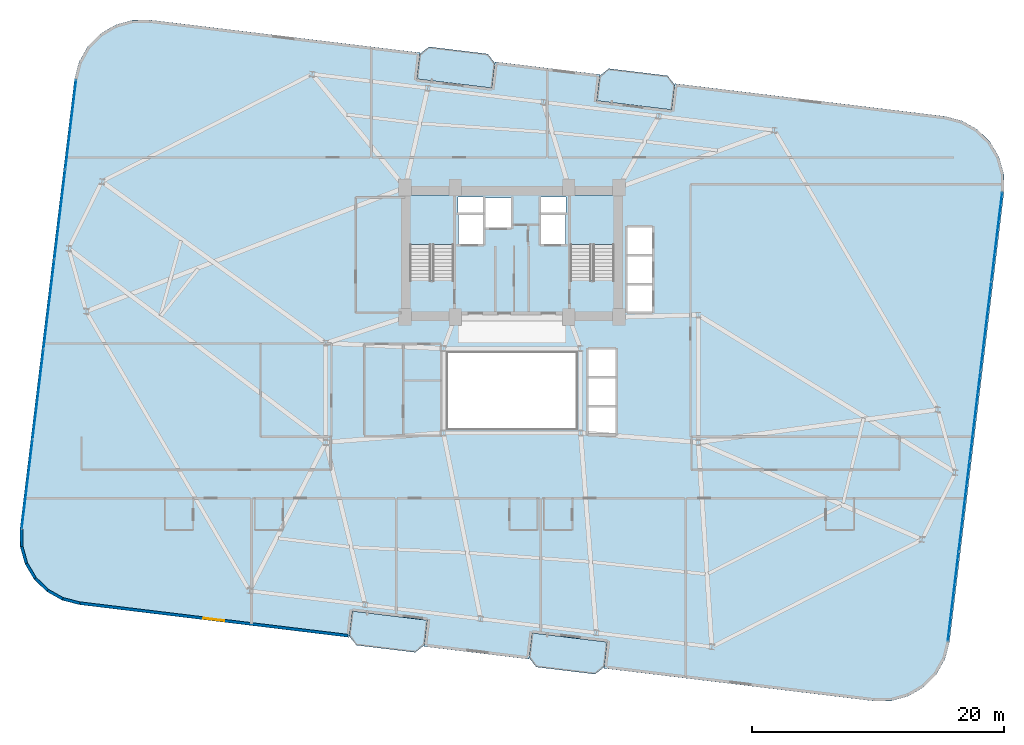
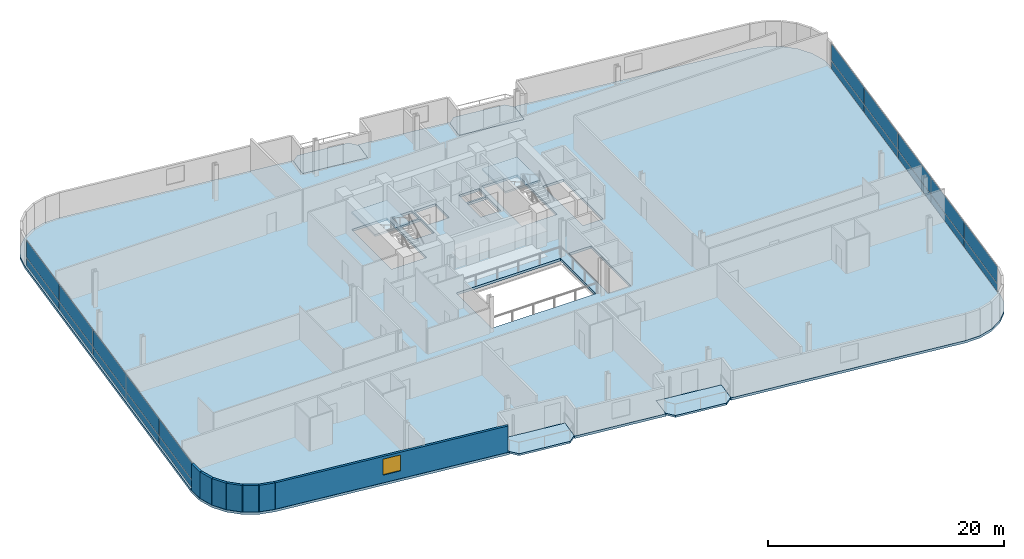
# One storey, part 19 of 25: 20 plates, 7 slabs, 7 walls, 1 window, 1 opening, 4 elements without a shape of their own.
"""IFC4 building model written with IfcOpenShell, lengths in metres."""

import ifcopenshell
import ifcopenshell.guid

model = None  # the IFC model being written
_history = None  # IfcOwnerHistory: only IFC2X3 demands one
_inside = {}  # id of a spatial element -> (the spatial element, [elements in it])
_under = {}  # id of a project, library or spatial element -> (it, [spatial elements below it])
_declared = {}  # id of a project -> (the project, [libraries it declares])
_typed = {}  # id of a type object -> (the type object, [elements of that type])
_made_of = {}  # id of a material, layer set ... -> (it, [elements and type objects made of it])


def new_model(schema):
    """Start an empty IFC model of exactly this schema.

    Asked for "IFC4X3", IfcOpenShell would pick the latest addendum, in which some entities
    have other attributes; the version numbers below select the first issue.
    IFC2X3 requires an IfcOwnerHistory on every rooted entity: one is made here for all.
    """
    global model, _history
    if schema == "IFC4X3":
        model = ifcopenshell.file(schema_version=(4, 3, 0, 0))
    else:
        model = ifcopenshell.file(schema=schema)
    _inside.clear()
    _under.clear()
    _declared.clear()
    _typed.clear()
    _made_of.clear()
    _history = None
    if model.schema == "IFC2X3":
        org = make("IfcOrganization", Name="unknown")
        user = make(
            "IfcPersonAndOrganization",
            ThePerson=make("IfcPerson", FamilyName="unknown"),
            TheOrganization=org,
        )
        app = make(
            "IfcApplication",
            ApplicationDeveloper=org,
            Version="unknown",
            ApplicationFullName="unknown",
            ApplicationIdentifier="unknown",
        )
        _history = make(
            "IfcOwnerHistory",
            OwningUser=user,
            OwningApplication=app,
            ChangeAction="ADDED",
            CreationDate=0,
        )
    return model


def make(cls, **values):
    """One entity of the class cls with the attributes given. An attribute that is None is left unset."""
    return model.create_entity(
        cls, **{name: value for name, value in values.items() if value is not None}
    )


def rooted(cls, **values):
    """An entity with a GlobalId (a new one), such as an element, a storey or a relation."""
    return make(cls, GlobalId=ifcopenshell.guid.new(), OwnerHistory=_history, **values)


def si_unit(unit_type, name, prefix=None):
    """IfcSIUnit, for example si_unit("LENGTHUNIT", "METRE", prefix="MILLI")."""
    return make("IfcSIUnit", UnitType=unit_type, Prefix=prefix, Name=name)


def assignment(units):
    """IfcUnitAssignment: the units of a project."""
    return None if units is None else make("IfcUnitAssignment", Units=units)


def point(xyz):
    """IfcCartesianPoint."""
    return None if xyz is None else make("IfcCartesianPoint", Coordinates=xyz)


def direction(xyz):
    """IfcDirection."""
    return None if xyz is None else make("IfcDirection", DirectionRatios=xyz)


def frame(location, z_axis=None, x_axis=None):
    """IfcAxis2Placement3D, a coordinate frame: its origin and axes. An axis left out is left unset."""
    return make(
        "IfcAxis2Placement3D",
        Location=point(location),
        Axis=direction(z_axis),
        RefDirection=direction(x_axis),
    )


def frame_2d(location, x_axis=None):
    """IfcAxis2Placement2D, a coordinate frame in the plane: its origin and x axis."""
    return make(
        "IfcAxis2Placement2D", Location=point(location), RefDirection=direction(x_axis)
    )


def origin():
    """The frame at (0, 0, 0) with its axes left unset."""
    return frame((0.0, 0.0, 0.0))


def origin_2d():
    """The frame at (0, 0) in the plane with its x axis left unset."""
    return frame_2d((0.0, 0.0))


def place(relative_to, where):
    """IfcLocalPlacement: puts the frame where relative to a parent placement (None: the world)."""
    return make(
        "IfcLocalPlacement", PlacementRelTo=relative_to, RelativePlacement=where
    )


def context(
    kind, dimensions, precision=None, world=None, true_north=None, identifier=None
):
    """IfcGeometricRepresentationContext, for example the 3D "Model" context."""
    return make(
        "IfcGeometricRepresentationContext",
        ContextIdentifier=identifier,
        ContextType=kind,
        CoordinateSpaceDimension=dimensions,
        Precision=precision,
        WorldCoordinateSystem=world,
        TrueNorth=true_north,
    )


def subcontext(parent, identifier, kind, view, scale=None):
    """IfcGeometricRepresentationSubContext, for example "Body" below "Model"."""
    return make(
        "IfcGeometricRepresentationSubContext",
        ContextIdentifier=identifier,
        ContextType=kind,
        ParentContext=parent,
        TargetScale=scale,
        TargetView=view,
    )


def project(units=None, contexts=None):
    """IfcProject with its units and contexts."""
    return rooted(
        "IfcProject",
        Name="project",
        RepresentationContexts=contexts,
        UnitsInContext=assignment(units),
    )


def spatial(cls, under=None, at=None, **own):
    """A site, building, storey or space (cls), placed at a placement, below another one or the project."""
    s = rooted(cls, ObjectPlacement=at, **own)
    if under is not None:
        _under.setdefault(under.id(), (under, []))[1].append(s)
    return s


def polyline(points):
    """IfcPolyline through the points."""
    return make("IfcPolyline", Points=[point(p) for p in points])


def profile(cls, at=None, kind="AREA", **sizes):
    """A parametric profile (cls). Its sizes go by their IFC names, for example OverallWidth=200.0."""
    return make(cls, ProfileType=kind, Position=at, **sizes)


def rectangle(**sizes):
    """IfcRectangleProfileDef."""
    return profile("IfcRectangleProfileDef", **sizes)


def outline(outer, holes=None, kind="AREA"):
    """IfcArbitraryClosedProfileDef: a profile drawn as a closed curve; with holes, ...WithVoids."""
    if holes is None:
        return make("IfcArbitraryClosedProfileDef", ProfileType=kind, OuterCurve=outer)
    return make(
        "IfcArbitraryProfileDefWithVoids",
        ProfileType=kind,
        OuterCurve=outer,
        InnerCurves=holes,
    )


def extrude(swept, where, along, depth):
    """IfcExtrudedAreaSolid: the profile swept, set in the frame where, extruded along a direction by depth."""
    return make(
        "IfcExtrudedAreaSolid",
        SweptArea=swept,
        Position=where,
        ExtrudedDirection=direction(along),
        Depth=depth,
    )


def shape(context_of_items, identifier, shape_type, items):
    """IfcShapeRepresentation: the items that make up one representation, for example the "Body"."""
    return make(
        "IfcShapeRepresentation",
        ContextOfItems=context_of_items,
        RepresentationIdentifier=identifier,
        RepresentationType=shape_type,
        Items=items,
    )


def source(mapping_origin, context_of_items, identifier, shape_type, items):
    """IfcRepresentationMap: a shape defined once, which mapped items show again and again."""
    return make(
        "IfcRepresentationMap",
        MappingOrigin=mapping_origin,
        MappedRepresentation=shape(context_of_items, identifier, shape_type, items),
    )


def transform(
    local_origin,
    x_axis=None,
    y_axis=None,
    z_axis=None,
    scale=None,
    scale2=None,
    scale3=None,
    uniform=True,
):
    """IfcCartesianTransformationOperator3D, or its non-uniform kind. x_axis, y_axis, z_axis: its Axis1, 2, 3."""
    if uniform:
        return make(
            "IfcCartesianTransformationOperator3D",
            Axis1=direction(x_axis),
            Axis2=direction(y_axis),
            LocalOrigin=point(local_origin),
            Scale=scale,
            Axis3=direction(z_axis),
        )
    return make(
        "IfcCartesianTransformationOperator3DnonUniform",
        Axis1=direction(x_axis),
        Axis2=direction(y_axis),
        LocalOrigin=point(local_origin),
        Scale=scale,
        Axis3=direction(z_axis),
        Scale2=scale2,
        Scale3=scale3,
    )


def mapped(mapping_source, mapping_target):
    """IfcMappedItem: shows the shape of a source again, moved by a transform."""
    return make(
        "IfcMappedItem", MappingSource=mapping_source, MappingTarget=mapping_target
    )


def material(Name=None, Category=None):
    """IfcMaterial."""
    return make("IfcMaterial", Name=Name, Category=Category)


def layer(
    of_material, thickness, ventilated=None, Name=None, Category=None, Priority=None
):
    """IfcMaterialLayer: one layer of a wall or slab, of a material (None: an air gap)."""
    return make(
        "IfcMaterialLayer",
        Material=of_material,
        LayerThickness=thickness,
        IsVentilated=ventilated,
        Name=Name,
        Category=Category,
        Priority=Priority,
    )


def layer_set(layers, Name=None):
    """IfcMaterialLayerSet."""
    return make("IfcMaterialLayerSet", MaterialLayers=layers, LayerSetName=Name)


def made_of(thing, what):
    """Note that an element or type object is made of a material, layer set ...; save() writes the relation."""
    if what is not None:
        _made_of.setdefault(what.id(), (what, []))[1].append(thing)
    return thing


def type_object(cls, material=None, **own):
    """A type object (cls), such as IfcWallType, which elements share."""
    return made_of(rooted(cls, **own), material)


def element(
    cls,
    number,
    at=None,
    inside=None,
    cuts=None,
    type_object=None,
    material=None,
    context=None,
    identifier="Body",
    shape_type=None,
    held_by="IfcProductDefinitionShape",
    body=None,
    shapes=None,
    **own,
):
    """One element of the class cls, such as IfcWall. Its Tag is "e" and its number.

    at: its placement. inside: the storey or other place that contains it. cuts: it is an
    opening in that element (IfcRelVoidsElement). A single representation is given by context,
    identifier, shape_type and body (its items); several are given by shapes. held_by: the class
    of the entity that holds the representations. save() writes the other relations.
    """
    e = rooted(cls, Tag="e%d" % number, ObjectPlacement=at, **own)
    if body is not None:
        shapes = [shape(context, identifier, shape_type, body)]
    if shapes is not None:
        e.Representation = make(held_by, Representations=shapes)
    if inside is not None:
        _inside.setdefault(inside.id(), (inside, []))[1].append(e)
    if cuts is not None:
        rooted(
            "IfcRelVoidsElement", RelatingBuildingElement=cuts, RelatedOpeningElement=e
        )
    if type_object is not None:
        _typed.setdefault(type_object.id(), (type_object, []))[1].append(e)
    return made_of(e, material)


def fill(opening, filler):
    """IfcRelFillsElement: the door or window that sits in an opening."""
    return rooted(
        "IfcRelFillsElement",
        RelatingOpeningElement=opening,
        RelatedBuildingElement=filler,
    )


def aggregate(whole, parts):
    """IfcRelAggregates: a whole, such as a stair, and the parts it consists of."""
    return rooted("IfcRelAggregates", RelatingObject=whole, RelatedObjects=parts)


def save(model, path):
    """Write the relations noted so far, then the file.

    IfcRelAggregates (storeys below a building ...), IfcRelContainedInSpatialStructure (elements
    in a storey), IfcRelDefinesByType, IfcRelAssociatesMaterial and IfcRelDeclares: one each for
    every whole, place, type object, material and project.
    """
    for whole, parts in _under.values():
        aggregate(whole, parts)
    for where, things in _inside.values():
        rooted(
            "IfcRelContainedInSpatialStructure",
            RelatedElements=things,
            RelatingStructure=where,
        )
    for kind, things in _typed.values():
        rooted("IfcRelDefinesByType", RelatedObjects=things, RelatingType=kind)
    for what, things in _made_of.values():
        rooted("IfcRelAssociatesMaterial", RelatedObjects=things, RelatingMaterial=what)
    for by, libraries in _declared.values():
        rooted("IfcRelDeclares", RelatingContext=by, RelatedDefinitions=libraries)
    model.write(path)


model = new_model("IFC4")

# Units and contexts
model_context = context("Model", 3, precision=1e-05, world=origin(), true_north=direction((0.0, 1.0)))
body_context = subcontext(model_context, "Body", "Model", "MODEL_VIEW")
ifc_project = project(units=[si_unit("LENGTHUNIT", "METRE"), si_unit("AREAUNIT", "SQUARE_METRE"), si_unit("VOLUMEUNIT", "CUBIC_METRE"), si_unit("PLANEANGLEUNIT", "RADIAN"), si_unit("MASSUNIT", "GRAM", prefix="KILO")], contexts=[model_context])

# Site, building, storey
site_placement = place(None, origin())
site = spatial("IfcSite", under=ifc_project, at=site_placement, CompositionType="ELEMENT")
building_placement = place(site_placement, origin())
building = spatial("IfcBuilding", under=site, at=building_placement, Name="Varnelok Gate Tower", CompositionType="ELEMENT")
storey_placement = place(building_placement, frame((0.0, 0.0, 132.800048828125)))
storey = spatial("IfcBuildingStorey", under=building, at=storey_placement, Name="L33", CompositionType="ELEMENT", Elevation=132.800048828125)

# Slabs
ifc_material_1 = material(Name="Concrete C45/55", Category="concrete")
ifc_layer_1 = layer(ifc_material_1, 0.199951171875)
ifc_layer_set_1 = layer_set([ifc_layer_1], Name="Concrete C45/55")
slab_type_1 = type_object("IfcSlabType", Name="SLB-BALC-200", PredefinedType="FLOOR", material=ifc_layer_set_1)
slab_1_placement = place(storey_placement, frame((0.0, 0.0, -0.199951171875)))
element("IfcSlab", 1, at=slab_1_placement, inside=storey, type_object=slab_type_1, Name="L33 South Hollow Balcony 1", PredefinedType="FLOOR", context=body_context, shape_type="SweptSolid", body=[
    extrude(outline(polyline([(26.27001953125, 3.39697265625), (26.837158203125, 2.67333984375), (31.5029296875, 2.107666015625), (32.2265625, 2.6748046875), (32.46728515625, 4.660400390625), (26.5107421875, 5.38232421875), (26.27001953125, 3.39697265625)])), origin(), (0.0, 0.0, 1.0), 0.199951171875),
])
slab_2_placement = place(storey_placement, frame((0.0, 0.0, -0.199951171875)))
element("IfcSlab", 2, at=slab_2_placement, inside=storey, type_object=slab_type_1, Name="L33 South Hollow Balcony 2", PredefinedType="FLOOR", context=body_context, shape_type="SweptSolid", body=[
    extrude(outline(polyline([(40.5654296875, 1.663818359375), (41.132568359375, 0.9404296875), (45.79833984375, 0.374755859375), (46.521728515625, 0.94189453125), (46.762451171875, 2.92724609375), (40.80615234375, 3.6494140625), (40.5654296875, 1.663818359375)])), origin(), (0.0, 0.0, 1.0), 0.199951171875),
])
slab_3_placement = place(storey_placement, frame((0.0, 0.0, -0.199951171875)))
element("IfcSlab", 3, at=slab_3_placement, inside=storey, type_object=slab_type_1, Name="L33 North Hollow Balcony 1", PredefinedType="FLOOR", context=body_context, shape_type="SweptSolid", body=[
    extrude(outline(polyline([(31.637451171875, 47.672607421875), (37.593994140625, 46.95068359375), (37.834716796875, 48.93603515625), (37.267578125, 49.65966796875), (32.601806640625, 50.22509765625), (31.878173828125, 49.658203125), (31.637451171875, 47.672607421875)])), origin(), (0.0, 0.0, 1.0), 0.199951171875),
])
slab_4_placement = place(storey_placement, frame((0.0, 0.0, -0.199951171875)))
element("IfcSlab", 4, at=slab_4_placement, inside=storey, type_object=slab_type_1, Name="L33 North Hollow Balcony 2", PredefinedType="FLOOR", context=body_context, shape_type="SweptSolid", body=[
    extrude(outline(polyline([(45.932861328125, 45.939697265625), (51.88916015625, 45.2177734375), (52.1298828125, 47.203125), (51.562744140625, 47.926513671875), (46.89697265625, 48.4921875), (46.173583984375, 47.92529296875), (45.932861328125, 45.939697265625)])), origin(), (0.0, 0.0, 1.0), 0.199951171875),
])

# Stair, slab
ifc_material_2 = material(Name="Concrete C50/60", Category="concrete")
stair_type = type_object("IfcStairType", Name="STR-CORE-1650", PredefinedType="HALF_TURN_STAIR", material=ifc_material_2)
stair_1_placement = place(storey_placement, origin())
stair_1 = element("IfcStair", 5, at=stair_1_placement, inside=storey, type_object=stair_type, Name="L33 Exit Stair ST-1", PredefinedType="HALF_TURN_STAIR")
ifc_layer_2 = layer(ifc_material_1, 0.199951171875)
ifc_layer_set_2 = layer_set([ifc_layer_2], Name="Concrete C45/55")
slab_type_2 = type_object("IfcSlabType", Name="SLB-LAND-200", PredefinedType="LANDING", material=ifc_layer_set_2)
slab_5_placement = place(storey_placement, frame((0.0, 0.0, 1.64990234375)))
slab_5 = element("IfcSlab", 6, at=slab_5_placement, type_object=slab_type_2, Name="ST-1 landing 1", PredefinedType="LANDING", context=body_context, shape_type="SweptSolid", body=[
    extrude(outline(polyline([(34.550048828125, 34.5), (34.550048828125, 38.449951171875), (31.10009765625, 38.449951171875), (31.10009765625, 34.5), (34.550048828125, 34.5)])), origin(), (0.0, 0.0, 1.0), 0.199951171875),
])
aggregate(stair_1, [slab_5])

stair_2_placement = place(storey_placement, origin())
stair_2 = element("IfcStair", 7, at=stair_2_placement, inside=storey, type_object=stair_type, Name="L33 Exit Stair ST-2", PredefinedType="HALF_TURN_STAIR")
slab_6_placement = place(storey_placement, frame((0.0, 0.0, 1.64990234375)))
slab_6 = element("IfcSlab", 8, at=slab_6_placement, type_object=slab_type_2, Name="ST-2 landing 1", PredefinedType="LANDING", context=body_context, shape_type="SweptSolid", body=[
    extrude(outline(polyline([(47.300048828125, 34.5), (47.300048828125, 38.449951171875), (43.85009765625, 38.449951171875), (43.85009765625, 34.5), (47.300048828125, 34.5)])), origin(), (0.0, 0.0, 1.0), 0.199951171875),
])
aggregate(stair_2, [slab_6])

# Slab
ifc_layer_3 = layer(ifc_material_2, 0.25)
ifc_layer_set_3 = layer_set([ifc_layer_3], Name="Concrete C50/60")
slab_type_3 = type_object("IfcSlabType", Name="SLB-TYP-250", PredefinedType="FLOOR", material=ifc_layer_set_3)
slab_7_placement = place(storey_placement, frame((0.0, 0.0, -0.25)))
element("IfcSlab", 9, at=slab_7_placement, inside=storey, type_object=slab_type_3, Name="L33 Structural Floor Slab", PredefinedType="FLOOR", context=body_context, shape_type="SweptSolid", body=[
    extrude(outline(polyline([(0.104248046875, 11.90771484375), (0.11865234375, 10.498046875), (0.49755859375, 9.14013671875), (1.214599609375, 7.9267578125), (2.2216796875, 6.940185546875), (3.44970703125, 6.247802734375), (4.81494140625, 5.89697265625), (16.529296875, 4.47705078125), (26.258056640625, 3.297607421875), (26.5107421875, 5.38232421875), (32.46728515625, 4.660400390625), (32.214599609375, 2.575439453125), (40.553466796875, 1.564697265625), (40.80615234375, 3.6494140625), (46.762451171875, 2.92724609375), (46.509765625, 0.842529296875), (56.238525390625, -0.3369140625), (67.952880859375, -1.7568359375), (69.3623046875, -1.742431640625), (70.72021484375, -1.363525390625), (71.933837890625, -0.646240234375), (72.92041015625, 0.360595703125), (73.612548828125, 1.588623046875), (73.96337890625, 2.9541015625), (78.2958984375, 38.6923828125), (78.281494140625, 40.101806640625), (77.902587890625, 41.459716796875), (77.185302734375, 42.67333984375), (76.17822265625, 43.659912109375), (74.9501953125, 44.35205078125), (73.5849609375, 44.702880859375), (61.87060546875, 46.123046875), (52.141845703125, 47.302490234375), (51.88916015625, 45.2177734375), (45.932861328125, 45.939697265625), (46.185546875, 48.0244140625), (37.8466796875, 49.035400390625), (37.593994140625, 46.95068359375), (31.637451171875, 47.672607421875), (31.89013671875, 49.75732421875), (22.161376953125, 50.936767578125), (10.447265625, 52.35693359375), (9.03759765625, 52.34228515625), (7.6796875, 51.963623046875), (6.46630859375, 51.246337890625), (5.479736328125, 50.2392578125), (4.787353515625, 49.01123046875), (4.4365234375, 47.64599609375), (0.104248046875, 11.90771484375)]), holes=[polyline([(34.550048828125, 31.679931640625), (34.550048828125, 38.449951171875), (31.10009765625, 38.449951171875), (31.10009765625, 31.679931640625), (34.550048828125, 31.679931640625)]), polyline([(47.300048828125, 31.679931640625), (47.300048828125, 38.449951171875), (43.85009765625, 38.449951171875), (43.85009765625, 31.679931640625), (47.300048828125, 31.679931640625)]), polyline([(34.949951171875, 34.550048828125), (36.89990234375, 34.550048828125), (36.89990234375, 36.89990234375), (34.949951171875, 36.89990234375), (34.949951171875, 34.550048828125)]), polyline([(41.5, 34.550048828125), (43.449951171875, 34.550048828125), (43.449951171875, 36.89990234375), (41.5, 36.89990234375), (41.5, 34.550048828125)]), polyline([(37.050048828125, 35.85009765625), (39.14990234375, 35.85009765625), (39.14990234375, 38.199951171875), (37.050048828125, 38.199951171875), (37.050048828125, 35.85009765625)]), polyline([(48.35009765625, 29.14990234375), (50.35009765625, 29.14990234375), (50.35009765625, 35.89990234375), (48.35009765625, 35.89990234375), (48.35009765625, 29.14990234375)]), polyline([(45.25, 19.449951171875), (47.449951171875, 19.449951171875), (47.449951171875, 26.199951171875), (45.25, 26.199951171875), (45.25, 19.449951171875)]), polyline([(34.919921875, 37.080078125), (36.89990234375, 37.080078125), (36.89990234375, 38.280029296875), (34.919921875, 38.280029296875), (34.919921875, 37.080078125)]), polyline([(41.5, 37.080078125), (43.47998046875, 37.080078125), (43.47998046875, 38.280029296875), (41.5, 38.280029296875), (41.5, 37.080078125)]), polyline([(34.10009765625, 19.89990234375), (44.300048828125, 19.89990234375), (44.300048828125, 25.89990234375), (34.10009765625, 25.89990234375), (34.10009765625, 19.89990234375)])]), origin(), (0.0, 0.0, 1.0), 0.25),
])

# Curtain wall, plates
ifc_material_3 = material(Name="Anodized Aluminum Alloy 6063-T6", Category="aluminium")
ifc_layer_4 = layer(ifc_material_3, 0.179931640625)
ifc_layer_set_4 = layer_set([ifc_layer_4], Name="Anodized Aluminum Alloy 6063-T6")
curtain_wall_type = type_object("IfcCurtainWallType", Name="CW3-HOTEL-VISION", PredefinedType="USERDEFINED", material=ifc_layer_set_4)
curtain_wall_1_placement = place(storey_placement, origin())
curtain_wall_1 = element("IfcCurtainWall", 10, at=curtain_wall_1_placement, inside=storey, type_object=curtain_wall_type, Name="L33 West End Vision Curtain Wall", ObjectType="UNITISED CURTAIN WALL", PredefinedType="USERDEFINED")
ifc_material_4 = material(Name="Low-E Laminated Double Glazing IGU", Category="glass")
ifc_layer_5 = layer(ifc_material_4, 0.031982421875)
ifc_layer_set_5 = layer_set([ifc_layer_5], Name="Low-E Laminated Double Glazing IGU")
plate_type = type_object("IfcPlateType", Name="CW-PNL-IGU32", PredefinedType="CURTAIN_PANEL", material=ifc_layer_set_5)
shared_shape_1 = source(origin(), body_context, "Body", "SweptSolid", [
    extrude(rectangle(XDim=7.1025390625, YDim=0.031982421875, at=origin_2d()), origin(), (0.0, 0.0, 1.0), 0.802490234375),
])
plate_1_placement = place(storey_placement, frame((0.67822265625, 15.480712890625, 0.06494140625), z_axis=(0.0, 0.0, 1.0), x_axis=(0.120347046212, 0.99273188146, 0.0)))
plate_1 = element("IfcPlate", 11, at=plate_1_placement, type_object=plate_type, Name="CW3 panel 1.1", PredefinedType="CURTAIN_PANEL", context=body_context, shape_type="MappedRepresentation", body=[
    mapped(shared_shape_1, transform((0.0, 0.0, 0.0), scale=1.0)),
])
plate_2_placement = place(storey_placement, frame((4.140380859375, 44.039306640625, 0.06494140625), z_axis=(0.0, 0.0, 1.0), x_axis=(0.120347046212, 0.99273188146, 0.0)))
plate_2 = element("IfcPlate", 12, at=plate_2_placement, type_object=plate_type, Name="CW3 panel 5.1", PredefinedType="CURTAIN_PANEL", context=body_context, shape_type="MappedRepresentation", body=[
    mapped(shared_shape_1, transform((0.0, 0.0, 0.0), scale=1.0)),
])

curtain_wall_2_placement = place(storey_placement, origin())
curtain_wall_2 = element("IfcCurtainWall", 13, at=curtain_wall_2_placement, inside=storey, type_object=curtain_wall_type, Name="L33 East End Vision Curtain Wall", ObjectType="UNITISED CURTAIN WALL", PredefinedType="USERDEFINED")
plate_3_placement = place(storey_placement, frame((77.7216796875, 35.119140625, 0.06494140625), z_axis=(0.0, 0.0, 1.0), x_axis=(-0.120347046212, -0.99273188146, 0.0)))
plate_3 = element("IfcPlate", 14, at=plate_3_placement, type_object=plate_type, Name="CW3 panel 1.1", PredefinedType="CURTAIN_PANEL", context=body_context, shape_type="MappedRepresentation", body=[
    mapped(shared_shape_1, transform((0.0, 0.0, 0.0), scale=1.0)),
])
plate_4_placement = place(storey_placement, frame((74.259521484375, 6.560791015625, 0.06494140625), z_axis=(0.0, 0.0, 1.0), x_axis=(-0.120347046212, -0.99273188146, 0.0)))
plate_4 = element("IfcPlate", 15, at=plate_4_placement, type_object=plate_type, Name="CW3 panel 5.1", PredefinedType="CURTAIN_PANEL", context=body_context, shape_type="MappedRepresentation", body=[
    mapped(shared_shape_1, transform((0.0, 0.0, 0.0), scale=1.0)),
])

# Plate
shared_shape_2 = source(origin(), body_context, "Body", "SweptSolid", [
    extrude(rectangle(XDim=7.1025390625, YDim=0.031982421875, at=origin_2d()), origin(), (0.0, 0.0, 1.0), 1.732421875),
])
plate_5_placement = place(storey_placement, frame((0.67822265625, 15.480712890625, 0.932373046875), z_axis=(0.0, 0.0, 1.0), x_axis=(0.120347046212, 0.99273188146, 0.0)))
plate_5 = element("IfcPlate", 16, at=plate_5_placement, type_object=plate_type, Name="CW3 panel 1.2", PredefinedType="CURTAIN_PANEL", context=body_context, shape_type="MappedRepresentation", body=[
    mapped(shared_shape_2, transform((0.0, 0.0, 0.0), scale=1.0)),
])

plate_6_placement = place(storey_placement, frame((4.140380859375, 44.039306640625, 0.932373046875), z_axis=(0.0, 0.0, 1.0), x_axis=(0.120347046212, 0.99273188146, 0.0)))
plate_6 = element("IfcPlate", 17, at=plate_6_placement, type_object=plate_type, Name="CW3 panel 5.2", PredefinedType="CURTAIN_PANEL", context=body_context, shape_type="MappedRepresentation", body=[
    mapped(shared_shape_2, transform((0.0, 0.0, 0.0), scale=1.0)),
])

plate_7_placement = place(storey_placement, frame((77.7216796875, 35.119140625, 0.932373046875), z_axis=(0.0, 0.0, 1.0), x_axis=(-0.120347046212, -0.99273188146, 0.0)))
plate_7 = element("IfcPlate", 18, at=plate_7_placement, type_object=plate_type, Name="CW3 panel 1.2", PredefinedType="CURTAIN_PANEL", context=body_context, shape_type="MappedRepresentation", body=[
    mapped(shared_shape_2, transform((0.0, 0.0, 0.0), scale=1.0)),
])

plate_8_placement = place(storey_placement, frame((74.259521484375, 6.560791015625, 0.932373046875), z_axis=(0.0, 0.0, 1.0), x_axis=(-0.120347046212, -0.99273188146, 0.0)))
plate_8 = element("IfcPlate", 19, at=plate_8_placement, type_object=plate_type, Name="CW3 panel 5.2", PredefinedType="CURTAIN_PANEL", context=body_context, shape_type="MappedRepresentation", body=[
    mapped(shared_shape_2, transform((0.0, 0.0, 0.0), scale=1.0)),
])

shared_shape_3 = source(origin(), body_context, "Body", "SweptSolid", [
    extrude(rectangle(XDim=7.135009765625, YDim=0.031982421875, at=origin_2d()), origin(), (0.0, 0.0, 1.0), 0.802490234375),
])
plate_9_placement = place(storey_placement, frame((1.54296875, 22.6123046875, 0.06494140625), z_axis=(0.0, 0.0, 1.0), x_axis=(0.120347046212, 0.99273188146, 0.0)))
plate_9 = element("IfcPlate", 20, at=plate_9_placement, type_object=plate_type, Name="CW3 panel 2.1", PredefinedType="CURTAIN_PANEL", context=body_context, shape_type="MappedRepresentation", body=[
    mapped(shared_shape_3, transform((0.0, 0.0, 0.0), scale=1.0)),
])

plate_10_placement = place(storey_placement, frame((2.409423828125, 29.760009765625, 0.06494140625), z_axis=(0.0, 0.0, 1.0), x_axis=(0.120347046212, 0.99273188146, 0.0)))
plate_10 = element("IfcPlate", 21, at=plate_10_placement, type_object=plate_type, Name="CW3 panel 3.1", PredefinedType="CURTAIN_PANEL", context=body_context, shape_type="MappedRepresentation", body=[
    mapped(shared_shape_3, transform((0.0, 0.0, 0.0), scale=1.0)),
])

plate_11_placement = place(storey_placement, frame((3.27587890625, 36.90771484375, 0.06494140625), z_axis=(0.0, 0.0, 1.0), x_axis=(0.120347046212, 0.99273188146, 0.0)))
plate_11 = element("IfcPlate", 22, at=plate_11_placement, type_object=plate_type, Name="CW3 panel 4.1", PredefinedType="CURTAIN_PANEL", context=body_context, shape_type="MappedRepresentation", body=[
    mapped(shared_shape_3, transform((0.0, 0.0, 0.0), scale=1.0)),
])

plate_12_placement = place(storey_placement, frame((76.857177734375, 27.98779296875, 0.06494140625), z_axis=(0.0, 0.0, 1.0), x_axis=(-0.120347046212, -0.99273188146, 0.0)))
plate_12 = element("IfcPlate", 23, at=plate_12_placement, type_object=plate_type, Name="CW3 panel 2.1", PredefinedType="CURTAIN_PANEL", context=body_context, shape_type="MappedRepresentation", body=[
    mapped(shared_shape_3, transform((0.0, 0.0, 0.0), scale=1.0)),
])

plate_13_placement = place(storey_placement, frame((75.99072265625, 20.840087890625, 0.06494140625), z_axis=(0.0, 0.0, 1.0), x_axis=(-0.120347046212, -0.99273188146, 0.0)))
plate_13 = element("IfcPlate", 24, at=plate_13_placement, type_object=plate_type, Name="CW3 panel 3.1", PredefinedType="CURTAIN_PANEL", context=body_context, shape_type="MappedRepresentation", body=[
    mapped(shared_shape_3, transform((0.0, 0.0, 0.0), scale=1.0)),
])

plate_14_placement = place(storey_placement, frame((75.124267578125, 13.6923828125, 0.06494140625), z_axis=(0.0, 0.0, 1.0), x_axis=(-0.120347046212, -0.99273188146, 0.0)))
plate_14 = element("IfcPlate", 25, at=plate_14_placement, type_object=plate_type, Name="CW3 panel 4.1", PredefinedType="CURTAIN_PANEL", context=body_context, shape_type="MappedRepresentation", body=[
    mapped(shared_shape_3, transform((0.0, 0.0, 0.0), scale=1.0)),
])

shared_shape_4 = source(origin(), body_context, "Body", "SweptSolid", [
    extrude(rectangle(XDim=7.135009765625, YDim=0.031982421875, at=origin_2d()), origin(), (0.0, 0.0, 1.0), 1.732421875),
])
plate_15_placement = place(storey_placement, frame((1.54296875, 22.6123046875, 0.932373046875), z_axis=(0.0, 0.0, 1.0), x_axis=(0.120347046212, 0.99273188146, 0.0)))
plate_15 = element("IfcPlate", 26, at=plate_15_placement, type_object=plate_type, Name="CW3 panel 2.2", PredefinedType="CURTAIN_PANEL", context=body_context, shape_type="MappedRepresentation", body=[
    mapped(shared_shape_4, transform((0.0, 0.0, 0.0), scale=1.0)),
])

plate_16_placement = place(storey_placement, frame((2.409423828125, 29.760009765625, 0.932373046875), z_axis=(0.0, 0.0, 1.0), x_axis=(0.120347046212, 0.99273188146, 0.0)))
plate_16 = element("IfcPlate", 27, at=plate_16_placement, type_object=plate_type, Name="CW3 panel 3.2", PredefinedType="CURTAIN_PANEL", context=body_context, shape_type="MappedRepresentation", body=[
    mapped(shared_shape_4, transform((0.0, 0.0, 0.0), scale=1.0)),
])

plate_17_placement = place(storey_placement, frame((3.27587890625, 36.90771484375, 0.932373046875), z_axis=(0.0, 0.0, 1.0), x_axis=(0.120347046212, 0.99273188146, 0.0)))
plate_17 = element("IfcPlate", 28, at=plate_17_placement, type_object=plate_type, Name="CW3 panel 4.2", PredefinedType="CURTAIN_PANEL", context=body_context, shape_type="MappedRepresentation", body=[
    mapped(shared_shape_4, transform((0.0, 0.0, 0.0), scale=1.0)),
])

aggregate(curtain_wall_1, [plate_1, plate_5, plate_9, plate_15, plate_10, plate_16, plate_11, plate_17, plate_2, plate_6])

plate_18_placement = place(storey_placement, frame((76.857177734375, 27.98779296875, 0.932373046875), z_axis=(0.0, 0.0, 1.0), x_axis=(-0.120347046212, -0.99273188146, 0.0)))
plate_18 = element("IfcPlate", 29, at=plate_18_placement, type_object=plate_type, Name="CW3 panel 2.2", PredefinedType="CURTAIN_PANEL", context=body_context, shape_type="MappedRepresentation", body=[
    mapped(shared_shape_4, transform((0.0, 0.0, 0.0), scale=1.0)),
])

plate_19_placement = place(storey_placement, frame((75.99072265625, 20.840087890625, 0.932373046875), z_axis=(0.0, 0.0, 1.0), x_axis=(-0.120347046212, -0.99273188146, 0.0)))
plate_19 = element("IfcPlate", 30, at=plate_19_placement, type_object=plate_type, Name="CW3 panel 3.2", PredefinedType="CURTAIN_PANEL", context=body_context, shape_type="MappedRepresentation", body=[
    mapped(shared_shape_4, transform((0.0, 0.0, 0.0), scale=1.0)),
])

plate_20_placement = place(storey_placement, frame((75.124267578125, 13.6923828125, 0.932373046875), z_axis=(0.0, 0.0, 1.0), x_axis=(-0.120347046212, -0.99273188146, 0.0)))
plate_20 = element("IfcPlate", 31, at=plate_20_placement, type_object=plate_type, Name="CW3 panel 4.2", PredefinedType="CURTAIN_PANEL", context=body_context, shape_type="MappedRepresentation", body=[
    mapped(shared_shape_4, transform((0.0, 0.0, 0.0), scale=1.0)),
])

aggregate(curtain_wall_2, [plate_3, plate_7, plate_12, plate_18, plate_13, plate_19, plate_14, plate_20, plate_4, plate_8])

# Walls
ifc_layer_6 = layer(ifc_material_1, 0.219970703125)
ifc_layer_set_6 = layer_set([ifc_layer_6], Name="Concrete C45/55")
wall_type = type_object("IfcWallType", Name="EW-BALC-220", PredefinedType="SOLIDWALL", material=ifc_layer_set_6)
wall_1_placement = place(storey_placement, frame((0.224365234375, 11.89306640625, 0.0), z_axis=(0.0, 0.0, 1.0), x_axis=(0.010098705419, -0.999949006774, 0.0)))
element("IfcWall", 32, at=wall_1_placement, inside=storey, type_object=wall_type, Name="L33 Perimeter Facade Closure Wall 1", PredefinedType="SOLIDWALL", context=body_context, shape_type="SweptSolid", body=[
    extrude(rectangle(XDim=1.3779296875, YDim=0.219970703125, at=frame_2d((0.68896484375, 0.0))), origin(), (0.0, 0.0, 1.0), 2.72998046875),
])
wall_2_placement = place(storey_placement, frame((0.2451171875, 10.490966796875, 0.0), z_axis=(0.0, 0.0, 1.0), x_axis=(0.268853470153, -0.963181089716, 0.0)))
element("IfcWall", 33, at=wall_2_placement, inside=storey, type_object=wall_type, Name="L33 Perimeter Facade Closure Wall 2", PredefinedType="SOLIDWALL", context=body_context, shape_type="SweptSolid", body=[
    extrude(rectangle(XDim=1.35302734375, YDim=0.219970703125, at=frame_2d((0.676513671875, 0.0))), origin(), (0.0, 0.0, 1.0), 2.72998046875),
])
wall_3_placement = place(storey_placement, frame((0.62158203125, 9.166015625, 0.0), z_axis=(0.0, 0.0, 1.0), x_axis=(0.508911700393, -0.860818727261, 0.0)))
element("IfcWall", 34, at=wall_3_placement, inside=storey, type_object=wall_type, Name="L33 Perimeter Facade Closure Wall 3", PredefinedType="SOLIDWALL", context=body_context, shape_type="SweptSolid", body=[
    extrude(rectangle(XDim=1.352783203125, YDim=0.219970703125, at=frame_2d((0.67626953125, 0.0))), origin(), (0.0, 0.0, 1.0), 2.72998046875),
])
wall_4_placement = place(storey_placement, frame((1.327880859375, 7.98388671875, 0.0), z_axis=(0.0, 0.0, 1.0), x_axis=(0.714376989847, -0.69976104234, 0.0)))
element("IfcWall", 35, at=wall_4_placement, inside=storey, type_object=wall_type, Name="L33 Perimeter Facade Closure Wall 4", PredefinedType="SOLIDWALL", context=body_context, shape_type="SweptSolid", body=[
    extrude(rectangle(XDim=1.35302734375, YDim=0.219970703125, at=frame_2d((0.676513671875, 0.0))), origin(), (0.0, 0.0, 1.0), 2.72998046875),
])
wall_5_placement = place(storey_placement, frame((2.316162109375, 7.024658203125, 0.0), z_axis=(0.0, 0.0, 1.0), x_axis=(0.87113677592, -0.491040443996, 0.0)))
element("IfcWall", 36, at=wall_5_placement, inside=storey, type_object=wall_type, Name="L33 Perimeter Facade Closure Wall 5", PredefinedType="SOLIDWALL", context=body_context, shape_type="SweptSolid", body=[
    extrude(rectangle(XDim=1.353271484375, YDim=0.219970703125, at=frame_2d((0.6767578125, 0.0))), origin(), (0.0, 0.0, 1.0), 2.72998046875),
])
wall_6_placement = place(storey_placement, frame((3.519287109375, 6.35400390625, 0.0), z_axis=(0.0, 0.0, 1.0), x_axis=(0.968506529347, -0.248988157573, 0.0)))
element("IfcWall", 37, at=wall_6_placement, inside=storey, type_object=wall_type, Name="L33 Perimeter Facade Closure Wall 6", PredefinedType="SOLIDWALL", context=body_context, shape_type="SweptSolid", body=[
    extrude(rectangle(XDim=1.361083984375, YDim=0.219970703125, at=frame_2d((0.6806640625, 0.0))), origin(), (0.0, 0.0, 1.0), 2.72998046875),
])

# Wall, opening, window
wall_7_placement = place(storey_placement, frame((4.862060546875, 6.01220703125, 0.0), z_axis=(0.0, 0.0, 1.0), x_axis=(0.99273213367, -0.120344965739, 0.0)))
wall_7 = element("IfcWall", 38, at=wall_7_placement, inside=storey, type_object=wall_type, Name="L33 Perimeter Facade Closure Wall 7", PredefinedType="SOLIDWALL", context=body_context, shape_type="SweptSolid", body=[
    extrude(rectangle(XDim=21.447021484375, YDim=0.219970703125, at=frame_2d((10.7236328125, 0.0))), origin(), (0.0, 0.0, 1.0), 2.72998046875),
])
opening_placement = place(wall_7_placement, frame((9.898681640625, 0.0, 0.800048828125)))
opening = element("IfcOpeningElement", 39, at=opening_placement, cuts=wall_7, Name="Opening WN3", PredefinedType="OPENING", context=body_context, shape_type="SweptSolid", body=[
    extrude(rectangle(XDim=1.64990234375, YDim=1.64990234375, at=frame_2d((0.824951171875, 0.824951171875))), frame((0.0, 0.119873046875, 0.0), z_axis=(0.0, -1.0, 0.0), x_axis=(1.0, 0.0, 0.0)), (0.0, 0.0, 1.0), 0.239990234375),
])
window_type = type_object("IfcWindowType", Name="WN-HTL-1650", PartitioningType="SINGLE_PANEL", PredefinedType="WINDOW", material=ifc_material_4)
window_placement = place(opening_placement, origin())
window = element("IfcWindow", 40, at=window_placement, inside=storey, type_object=window_type, Name="L33 Perimeter Vision Window 7", OverallHeight=1.64990234375, OverallWidth=1.64990234375, PartitioningType="SINGLE_PANEL", PredefinedType="WINDOW", context=body_context, shape_type="SweptSolid", body=[
    extrude(rectangle(XDim=1.64990234375, YDim=1.64990234375, at=frame_2d((0.824951171875, 0.824951171875))), frame((0.0, 0.030029296875, 0.0), z_axis=(0.0, -1.0, 0.0), x_axis=(1.0, 0.0, 0.0)), (0.0, 0.0, 1.0), 0.06005859375),
])
fill(opening, window)

save(model, "model.ifc")
